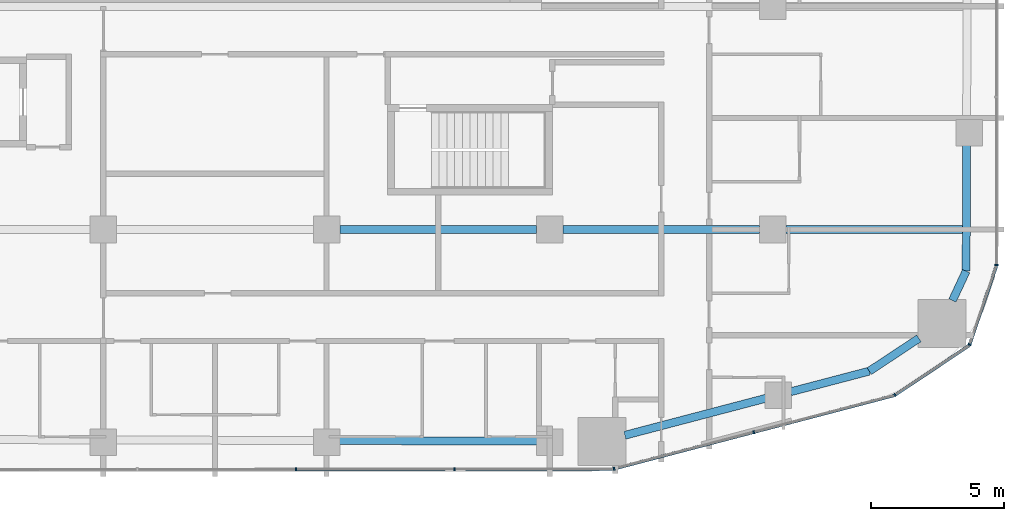
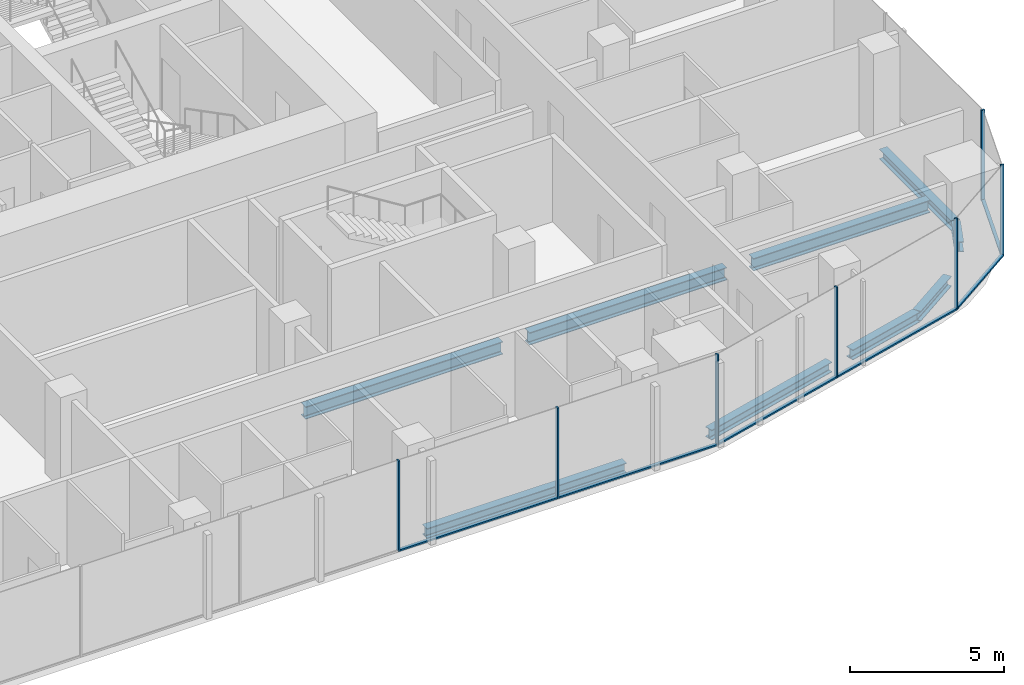
# One storey, part 6 of 26: 13 members, 9 beams, 5 elements without a shape of their own.
"""IFC4 building model written with IfcOpenShell, lengths in metres."""

from ifc_helpers import new_model, si_unit, direction, frame, origin, origin_2d, place, context, subcontext, project, spatial, rectangle, i_section, extrude, material, layer, layer_set, material_profile, profile_set, type_object, element, aggregate, save


model = new_model("IFC4")

# Units and contexts
model_context = context("Model", 3, precision=1e-05, world=origin(), true_north=direction((0.0, 1.0)))
body_context = subcontext(model_context, "Body", "Model", "MODEL_VIEW")
ifc_project = project(units=[si_unit("LENGTHUNIT", "METRE"), si_unit("AREAUNIT", "SQUARE_METRE"), si_unit("VOLUMEUNIT", "CUBIC_METRE"), si_unit("PLANEANGLEUNIT", "RADIAN"), si_unit("MASSUNIT", "GRAM", prefix="KILO")], contexts=[model_context])

# Site, building, storey
site_placement = place(None, origin())
site = spatial("IfcSite", under=ifc_project, at=site_placement, CompositionType="ELEMENT")
building_placement = place(site_placement, origin())
building = spatial("IfcBuilding", under=site, at=building_placement, Name="Marenta Gate Hotel Tower", CompositionType="ELEMENT")
storey_placement = place(building_placement, frame((0.0, 0.0, 79.699951171875)))
storey = spatial("IfcBuildingStorey", under=building, at=storey_placement, Name="L18", CompositionType="ELEMENT", Elevation=79.699951171875)

# Beams
ifc_material_1 = material(Name="Steel S355", Category="steel")
ifc_material_profile_1 = material_profile(ifc_material_1, i_section(OverallWidth=0.300048828125, OverallDepth=0.39990234375, WebThickness=0.013427734375, FlangeThickness=0.02392578125, FilletRadius=0.027099609375, at=origin_2d()), Name="HEB 400")
ifc_profile_set_1 = profile_set([ifc_material_profile_1], Name="Steel S355")
beam_type_1 = type_object("IfcBeamType", Name="Edge beam HEB 400", PredefinedType="SPANDREL", material=ifc_profile_set_1)
beam_1_placement = place(storey_placement, frame((28.291015625, -5.2119140625, -0.4599609375), z_axis=(-0.003337079684, -0.999994431934, 0.0), x_axis=(0.999994431934, -0.003337079684, 0.0)))
element("IfcBeam", 1, at=beam_1_placement, inside=storey, type_object=beam_type_1, Name="L18-EB-27", PredefinedType="SPANDREL", context=body_context, shape_type="SweptSolid", body=[
    extrude(i_section(OverallWidth=0.300048828125, OverallDepth=0.39990234375, WebThickness=0.013427734375, FlangeThickness=0.02392578125, FilletRadius=0.027099609375, at=origin_2d()), origin(), (0.0, 0.0, 1.0), 4.75537109375),
])
beam_2_placement = place(storey_placement, frame((28.275146484375, -9.96728515625, -0.4599609375), z_axis=(-0.423291965192, -0.905993329006, 0.0), x_axis=(0.905993329006, -0.423291965192, 0.0)))
element("IfcBeam", 2, at=beam_2_placement, inside=storey, type_object=beam_type_1, Name="L18-EB-28", PredefinedType="SPANDREL", context=body_context, shape_type="SweptSolid", body=[
    extrude(i_section(OverallWidth=0.300048828125, OverallDepth=0.39990234375, WebThickness=0.013427734375, FlangeThickness=0.02392578125, FilletRadius=0.027099609375, at=origin_2d()), origin(), (0.0, 0.0, 1.0), 1.21630859375),
])
beam_3_placement = place(storey_placement, frame((26.496337890625, -12.498291015625, -0.4599609375), z_axis=(-0.834510054819, -0.550992711754, 0.0), x_axis=(0.550992711754, -0.834510054819, 0.0)))
element("IfcBeam", 3, at=beam_3_placement, inside=storey, type_object=beam_type_1, Name="L18-EB-29", PredefinedType="SPANDREL", context=body_context, shape_type="SweptSolid", body=[
    extrude(i_section(OverallWidth=0.300048828125, OverallDepth=0.39990234375, WebThickness=0.013427734375, FlangeThickness=0.02392578125, FilletRadius=0.027099609375, at=origin_2d()), origin(), (0.0, 0.0, 1.0), 2.237060546875),
])
beam_4_placement = place(storey_placement, frame((24.62939453125, -13.73095703125, -0.4599609375), z_axis=(-0.967228272573, -0.253908386501, 0.0), x_axis=(0.253908386501, -0.967228272573, 0.0)))
element("IfcBeam", 4, at=beam_4_placement, inside=storey, type_object=beam_type_1, Name="L18-EB-30", PredefinedType="SPANDREL", context=body_context, shape_type="SweptSolid", body=[
    extrude(i_section(OverallWidth=0.300048828125, OverallDepth=0.39990234375, WebThickness=0.013427734375, FlangeThickness=0.02392578125, FilletRadius=0.027099609375, at=origin_2d()), origin(), (0.0, 0.0, 1.0), 3.0615234375),
])
beam_5_placement = place(storey_placement, frame((20.74560546875, -14.75048828125, -0.4599609375), z_axis=(-0.967231374294, -0.253896570638, 0.0), x_axis=(0.253896570638, -0.967231374294, 0.0)))
element("IfcBeam", 5, at=beam_5_placement, inside=storey, type_object=beam_type_1, Name="L18-EB-31", PredefinedType="SPANDREL", context=body_context, shape_type="SweptSolid", body=[
    extrude(i_section(OverallWidth=0.300048828125, OverallDepth=0.39990234375, WebThickness=0.013427734375, FlangeThickness=0.02392578125, FilletRadius=0.027099609375, at=origin_2d()), origin(), (0.0, 0.0, 1.0), 5.498291015625),
])
beam_6_placement = place(storey_placement, frame((12.139892578125, -16.365966796875, -0.4599609375), z_axis=(-0.99999624158, 0.002741683018, 0.0), x_axis=(-0.002741683018, -0.99999624158, 0.0)))
element("IfcBeam", 6, at=beam_6_placement, inside=storey, type_object=beam_type_1, Name="L18-EB-32", PredefinedType="SPANDREL", context=body_context, shape_type="SweptSolid", body=[
    extrude(i_section(OverallWidth=0.300048828125, OverallDepth=0.39990234375, WebThickness=0.013427734375, FlangeThickness=0.02392578125, FilletRadius=0.027099609375, at=origin_2d()), origin(), (0.0, 0.0, 1.0), 7.47998046875),
])
ifc_material_2 = material(Name="Steel S355", Category="steel")
ifc_material_profile_2 = material_profile(ifc_material_2, i_section(OverallWidth=0.300048828125, OverallDepth=0.5, WebThickness=0.014404296875, FlangeThickness=0.028076171875, FilletRadius=0.027099609375, at=origin_2d()), Name="HEB 500")
ifc_profile_set_2 = profile_set([ifc_material_profile_2], Name="Steel S355")
beam_type_2 = type_object("IfcBeamType", Name="Girder HEB 500", PredefinedType="BEAM", material=ifc_profile_set_2)
beam_7_placement = place(storey_placement, frame((4.699951171875, -8.39990234375, -0.510009765625), z_axis=(1.0, 0.0, 0.0), x_axis=(0.0, 1.0, 0.0)))
element("IfcBeam", 7, at=beam_7_placement, inside=storey, type_object=beam_type_2, Name="L18-GD-5", PredefinedType="BEAM", context=body_context, shape_type="SweptSolid", body=[
    extrude(i_section(OverallWidth=0.300048828125, OverallDepth=0.5, WebThickness=0.014404296875, FlangeThickness=0.028076171875, FilletRadius=0.027099609375, at=origin_2d()), origin(), (0.0, 0.0, 1.0), 7.400146484375),
])
beam_8_placement = place(storey_placement, frame((13.10009765625, -8.39990234375, -0.510009765625), z_axis=(1.0, 0.0, 0.0), x_axis=(0.0, 1.0, 0.0)))
element("IfcBeam", 8, at=beam_8_placement, inside=storey, type_object=beam_type_2, Name="L18-GD-6", PredefinedType="BEAM", context=body_context, shape_type="SweptSolid", body=[
    extrude(i_section(OverallWidth=0.300048828125, OverallDepth=0.5, WebThickness=0.014404296875, FlangeThickness=0.028076171875, FilletRadius=0.027099609375, at=origin_2d()), origin(), (0.0, 0.0, 1.0), 7.39990234375),
])
beam_9_placement = place(storey_placement, frame((21.5, -8.39990234375, -0.510009765625), z_axis=(1.0, 0.0, 0.0), x_axis=(0.0, 1.0, 0.0)))
element("IfcBeam", 9, at=beam_9_placement, inside=storey, type_object=beam_type_2, Name="L18-GD-7", PredefinedType="BEAM", context=body_context, shape_type="SweptSolid", body=[
    extrude(i_section(OverallWidth=0.300048828125, OverallDepth=0.5, WebThickness=0.014404296875, FlangeThickness=0.028076171875, FilletRadius=0.027099609375, at=origin_2d()), origin(), (0.0, 0.0, 1.0), 6.63037109375),
])

# Curtain wall, members
ifc_material_3 = material(Name="Tinted insulated glass in bronze anodised frame", Category="glass")
ifc_layer = layer(ifc_material_3, 0.1201171875)
ifc_layer_set = layer_set([ifc_layer], Name="Tinted insulated glass in bronze anodised frame")
curtain_wall_type = type_object("IfcCurtainWallType", Name="Tower unitised curtain wall CW1", PredefinedType="NOTDEFINED", material=ifc_layer_set)
curtain_wall_1_placement = place(storey_placement, origin())
curtain_wall_1 = element("IfcCurtainWall", 10, at=curtain_wall_1_placement, inside=storey, type_object=curtain_wall_type, Name="CW1 run G07", PredefinedType="NOTDEFINED")
ifc_material_4 = material(Name="Bronze anodised aluminium", Category="aluminium")
ifc_material_profile_3 = material_profile(ifc_material_4, rectangle(XDim=0.1201171875, YDim=0.06005859375, at=origin_2d()), Name="Mullion CW1 60x120 bronze anodised aluminium")
ifc_profile_set_3 = profile_set([ifc_material_profile_3], Name="Bronze anodised aluminium")
member_type_1 = type_object("IfcMemberType", Name="Mullion CW1 60x120 bronze anodised aluminium", PredefinedType="MULLION", material=ifc_profile_set_3)
member_1_placement = place(storey_placement, frame((3.048095703125, -17.427001953125, 0.0), z_axis=(0.0, 0.0, 1.0), x_axis=(-0.001161921639, 0.999999324969, 0.0)))
member_1 = element("IfcMember", 11, at=member_1_placement, type_object=member_type_1, Name="CW1 mullion 4", PredefinedType="MULLION", context=body_context, shape_type="SweptSolid", body=[
    extrude(rectangle(XDim=0.1201171875, YDim=0.06005859375, at=origin_2d()), origin(), (0.0, 0.0, 1.0), 3.60009765625),
])
member_2_placement = place(storey_placement, frame((9.020751953125, -17.419921875, 0.0), z_axis=(0.0, 0.0, 1.0), x_axis=(-0.001161921639, 0.999999324969, 0.0)))
member_2 = element("IfcMember", 12, at=member_2_placement, type_object=member_type_1, Name="CW1 mullion 5", PredefinedType="MULLION", context=body_context, shape_type="SweptSolid", body=[
    extrude(rectangle(XDim=0.1201171875, YDim=0.06005859375, at=origin_2d()), origin(), (0.0, 0.0, 1.0), 3.60009765625),
])

curtain_wall_2_placement = place(storey_placement, origin())
curtain_wall_2 = element("IfcCurtainWall", 13, at=curtain_wall_2_placement, inside=storey, type_object=curtain_wall_type, Name="CW1 run G08", PredefinedType="NOTDEFINED")
member_3_placement = place(storey_placement, frame((15.022705078125, -17.405517578125, 0.0), z_axis=(0.0, 0.0, 1.0), x_axis=(-0.25337182621, 0.967368966674, 0.0)))
member_3 = element("IfcMember", 14, at=member_3_placement, type_object=member_type_1, Name="CW1 mullion 1", PredefinedType="MULLION", context=body_context, shape_type="SweptSolid", body=[
    extrude(rectangle(XDim=0.1201171875, YDim=0.06005859375, at=origin_2d()), origin(), (0.0, 0.0, 1.0), 3.60009765625),
])
member_4_placement = place(storey_placement, frame((20.28076171875, -16.0283203125, 0.0), z_axis=(0.0, 0.0, 1.0), x_axis=(-0.25337182621, 0.967368966674, 0.0)))
member_4 = element("IfcMember", 15, at=member_4_placement, type_object=member_type_1, Name="CW1 mullion 2", PredefinedType="MULLION", context=body_context, shape_type="SweptSolid", body=[
    extrude(rectangle(XDim=0.1201171875, YDim=0.06005859375, at=origin_2d()), origin(), (0.0, 0.0, 1.0), 3.60009765625),
])

# Curtain wall, member
curtain_wall_3_placement = place(storey_placement, origin())
curtain_wall_3 = element("IfcCurtainWall", 16, at=curtain_wall_3_placement, inside=storey, type_object=curtain_wall_type, Name="CW1 run G09", PredefinedType="NOTDEFINED")
member_5_placement = place(storey_placement, frame((25.592529296875, -14.626953125, 0.0), z_axis=(0.0, 0.0, 1.0), x_axis=(-0.554034324326, 0.832493824282, 0.0)))
member_5 = element("IfcMember", 17, at=member_5_placement, type_object=member_type_1, Name="CW1 mullion 1", PredefinedType="MULLION", context=body_context, shape_type="SweptSolid", body=[
    extrude(rectangle(XDim=0.1201171875, YDim=0.06005859375, at=origin_2d()), origin(), (0.0, 0.0, 1.0), 3.60009765625),
])

curtain_wall_4_placement = place(storey_placement, origin())
curtain_wall_4 = element("IfcCurtainWall", 18, at=curtain_wall_4_placement, inside=storey, type_object=curtain_wall_type, Name="CW1 run G10", PredefinedType="NOTDEFINED")
member_6_placement = place(storey_placement, frame((28.405517578125, -12.73291015625, 0.0), z_axis=(0.0, 0.0, 1.0), x_axis=(-0.946729939312, 0.322028604337, 0.0)))
member_6 = element("IfcMember", 19, at=member_6_placement, type_object=member_type_1, Name="CW1 mullion 1", PredefinedType="MULLION", context=body_context, shape_type="SweptSolid", body=[
    extrude(rectangle(XDim=0.1201171875, YDim=0.06005859375, at=origin_2d()), origin(), (0.0, 0.0, 1.0), 3.60009765625),
])

curtain_wall_5_placement = place(storey_placement, origin())
curtain_wall_5 = element("IfcCurtainWall", 20, at=curtain_wall_5_placement, inside=storey, type_object=curtain_wall_type, Name="CW1 run G11", PredefinedType="NOTDEFINED")
member_7_placement = place(storey_placement, frame((29.4140625, -9.738037109375, 0.0), z_axis=(0.0, 0.0, 1.0), x_axis=(-1.0, 0.0, 0.0)))
member_7 = element("IfcMember", 21, at=member_7_placement, type_object=member_type_1, Name="CW1 mullion 1", PredefinedType="MULLION", context=body_context, shape_type="SweptSolid", body=[
    extrude(rectangle(XDim=0.1201171875, YDim=0.06005859375, at=origin_2d()), origin(), (0.0, 0.0, 1.0), 3.60009765625),
])
aggregate(curtain_wall_5, [member_7])

# Member
ifc_material_5 = material(Name="Bronze anodised aluminium", Category="aluminium")
ifc_material_profile_4 = material_profile(ifc_material_5, rectangle(XDim=0.1201171875, YDim=0.06005859375, at=origin_2d()), Name="Transom CW1 60x120 bronze anodised aluminium")
ifc_profile_set_4 = profile_set([ifc_material_profile_4], Name="Bronze anodised aluminium")
member_type_2 = type_object("IfcMemberType", Name="Transom CW1 60x120 bronze anodised aluminium", PredefinedType="USERDEFINED", material=ifc_profile_set_4)
member_8_placement = place(storey_placement, frame((3.077880859375, -17.427001953125, 0.030029296875), z_axis=(0.999999331697, 0.001156116326, 0.0), x_axis=(-0.001156116326, 0.999999331697, 0.0)))
member_8 = element("IfcMember", 22, at=member_8_placement, type_object=member_type_2, Name="CW1 transom 4.1", ObjectType="TRANSOM", PredefinedType="USERDEFINED", context=body_context, shape_type="SweptSolid", body=[
    extrude(rectangle(XDim=0.1201171875, YDim=0.06005859375, at=origin_2d()), origin(), (0.0, 0.0, 1.0), 5.912841796875),
])

member_9_placement = place(storey_placement, frame((9.05078125, -17.419921875, 0.030029296875), z_axis=(0.999999338434, 0.001150274483, 0.0), x_axis=(-0.001150274483, 0.999999338434, 0.0)))
member_9 = element("IfcMember", 23, at=member_9_placement, type_object=member_type_2, Name="CW1 transom 5.1", ObjectType="TRANSOM", PredefinedType="USERDEFINED", context=body_context, shape_type="SweptSolid", body=[
    extrude(rectangle(XDim=0.1201171875, YDim=0.06005859375, at=origin_2d()), origin(), (0.0, 0.0, 1.0), 5.94287109375),
])

aggregate(curtain_wall_1, [member_1, member_2, member_8, member_9])

member_10_placement = place(storey_placement, frame((15.0517578125, -17.39794921875, 0.030029296875), z_axis=(0.96736453676, 0.253388738935, 0.0), x_axis=(-0.253388738935, 0.96736453676, 0.0)))
member_10 = element("IfcMember", 24, at=member_10_placement, type_object=member_type_2, Name="CW1 transom 1.1", ObjectType="TRANSOM", PredefinedType="USERDEFINED", context=body_context, shape_type="SweptSolid", body=[
    extrude(rectangle(XDim=0.1201171875, YDim=0.06005859375, at=origin_2d()), origin(), (0.0, 0.0, 1.0), 5.37548828125),
])

member_11_placement = place(storey_placement, frame((20.3095703125, -16.020751953125, 0.030029296875), z_axis=(0.967368291574, 0.253374403713, 0.0), x_axis=(-0.253374403713, 0.967368291574, 0.0)))
member_11 = element("IfcMember", 25, at=member_11_placement, type_object=member_type_2, Name="CW1 transom 2.1", ObjectType="TRANSOM", PredefinedType="USERDEFINED", context=body_context, shape_type="SweptSolid", body=[
    extrude(rectangle(XDim=0.1201171875, YDim=0.06005859375, at=origin_2d()), origin(), (0.0, 0.0, 1.0), 5.435302734375),
])

aggregate(curtain_wall_2, [member_3, member_4, member_10, member_11])

member_12_placement = place(storey_placement, frame((25.617431640625, -14.6103515625, 0.030029296875), z_axis=(0.832511449854, 0.554007839169, 0.0), x_axis=(-0.554007839169, 0.832511449854, 0.0)))
member_12 = element("IfcMember", 26, at=member_12_placement, type_object=member_type_2, Name="CW1 transom 1.1", ObjectType="TRANSOM", PredefinedType="USERDEFINED", context=body_context, shape_type="SweptSolid", body=[
    extrude(rectangle(XDim=0.1201171875, YDim=0.06005859375, at=origin_2d()), origin(), (0.0, 0.0, 1.0), 3.337158203125),
])

aggregate(curtain_wall_3, [member_5, member_12])

member_13_placement = place(storey_placement, frame((28.4150390625, -12.70458984375, 0.030029296875), z_axis=(0.3220776996, 0.94671323822, 0.0), x_axis=(-0.94671323822, 0.3220776996, 0.0)))
member_13 = element("IfcMember", 27, at=member_13_placement, type_object=member_type_2, Name="CW1 transom 1.1", ObjectType="TRANSOM", PredefinedType="USERDEFINED", context=body_context, shape_type="SweptSolid", body=[
    extrude(rectangle(XDim=0.1201171875, YDim=0.06005859375, at=origin_2d()), origin(), (0.0, 0.0, 1.0), 3.101806640625),
])

aggregate(curtain_wall_4, [member_6, member_13])

save(model, "model.ifc")
